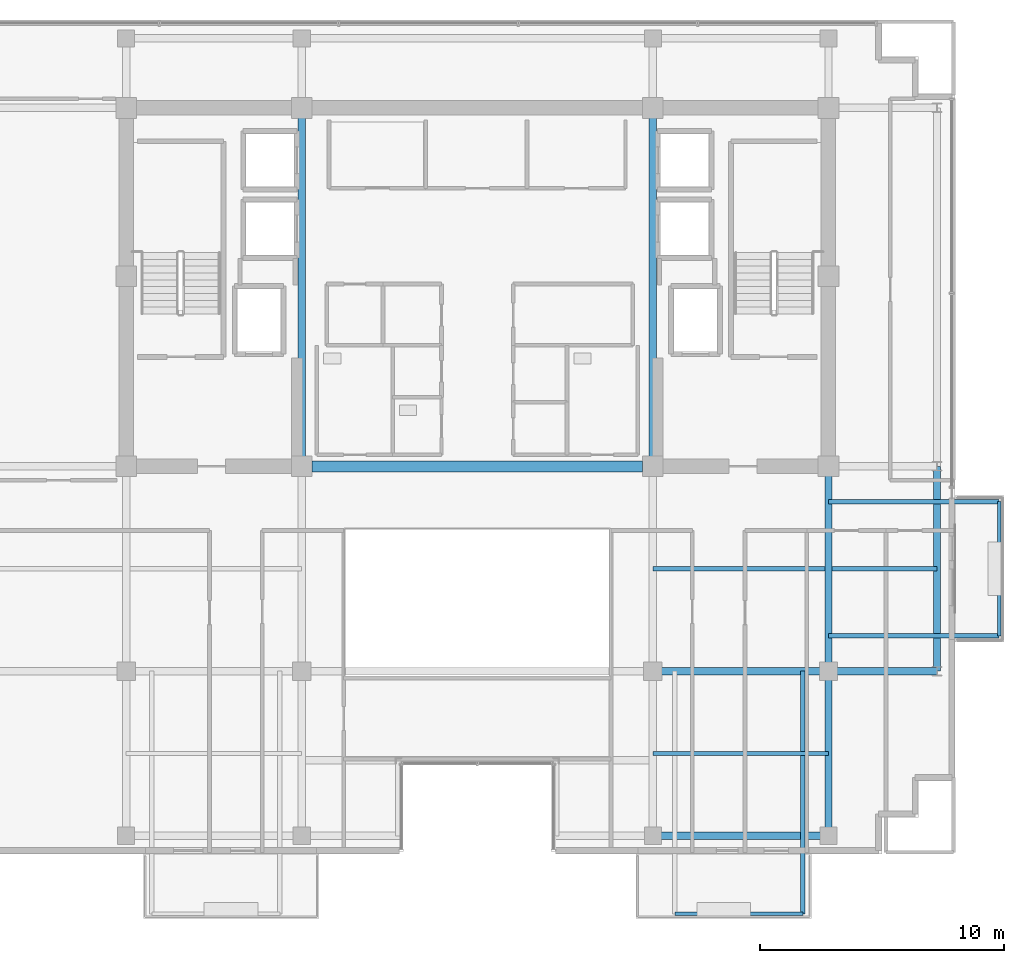
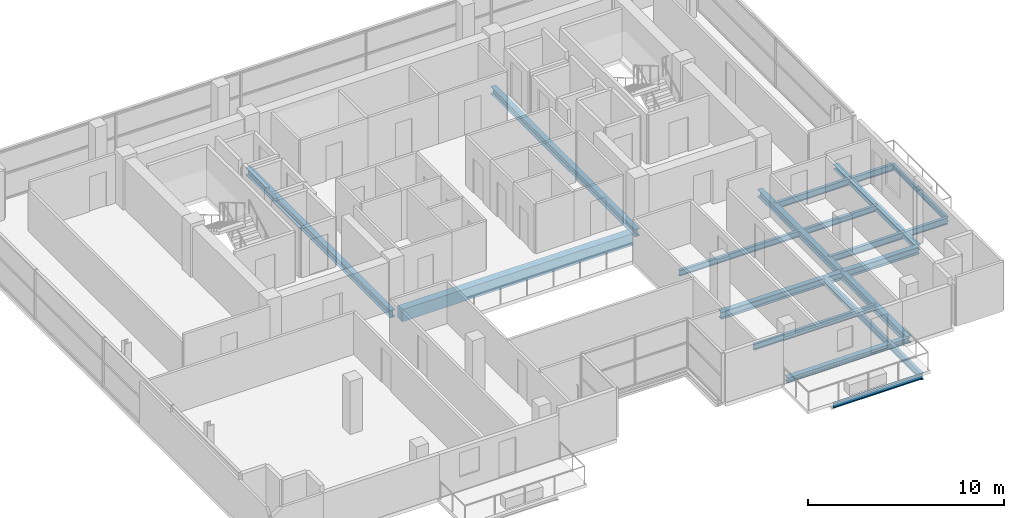
# One storey, part 10 of 22: 17 beams.
"""IFC4 building model written with IfcOpenShell, lengths in metres."""

from ifc_helpers import new_model, si_unit, direction, frame, origin, origin_2d, place, context, subcontext, project, spatial, rectangle, i_section, extrude, material, material_profile, profile_set, type_object, element, save


model = new_model("IFC4")

# Units and contexts
model_context = context("Model", 3, precision=1e-05, world=origin(), true_north=direction((0.0, 1.0)))
body_context = subcontext(model_context, "Body", "Model", "MODEL_VIEW")
ifc_project = project(units=[si_unit("LENGTHUNIT", "METRE"), si_unit("AREAUNIT", "SQUARE_METRE"), si_unit("VOLUMEUNIT", "CUBIC_METRE"), si_unit("PLANEANGLEUNIT", "RADIAN"), si_unit("MASSUNIT", "GRAM", prefix="KILO")], contexts=[model_context])

# Site, building, storey
site_placement = place(None, origin())
site = spatial("IfcSite", under=ifc_project, at=site_placement, CompositionType="ELEMENT")
building_placement = place(site_placement, origin())
building = spatial("IfcBuilding", under=site, at=building_placement, Name="Zarnakvel Exchange Tower", CompositionType="ELEMENT")
storey_placement = place(building_placement, frame((0.0, 0.0, 225.39990234375)))
storey = spatial("IfcBuildingStorey", under=building, at=storey_placement, Name="L63", CompositionType="ELEMENT", Elevation=225.39990234375)

# Beams
ifc_material_1 = material(Name="Steel S355", Category="steel")
ifc_material_profile_1 = material_profile(ifc_material_1, i_section(OverallWidth=0.179931640625, OverallDepth=0.39990234375, WebThickness=0.008544921875, FlangeThickness=0.013427734375, FilletRadius=0.02099609375, at=origin_2d()))
ifc_profile_set_1 = profile_set([ifc_material_profile_1], Name="Steel S355")
beam_type_1 = type_object("IfcBeamType", Name="B-06", PredefinedType="JOIST", material=ifc_profile_set_1)
beam_1_placement = place(storey_placement, frame((13.35009765625, -9.60009765625, -0.4248046875), z_axis=(0.0, -1.0, 0.0), x_axis=(1.0, 0.0, 0.0)))
element("IfcBeam", 1, at=beam_1_placement, inside=storey, type_object=beam_type_1, Name="L63 Continuous Back-Spanned Balcony Beam E", PredefinedType="JOIST", context=body_context, shape_type="SweptSolid", body=[
    extrude(i_section(OverallWidth=0.179931640625, OverallDepth=0.39990234375, WebThickness=0.008544921875, FlangeThickness=0.013427734375, FilletRadius=0.02099609375, at=origin_2d()), origin(), (0.0, 0.0, 1.0), 9.949951171875),
])
for number, where, z_axis, x_axis, name in (
    (2, (14.39990234375, -8.14990234375, -0.4248046875), (1.0, 0.0, 0.0), (0.0, 1.0, 0.0), "L63 Continuous East Loggia Beam S"),
    (3, (14.39990234375, -2.64990234375, -0.4248046875), (1.0, 0.0, 0.0), (0.0, 1.0, 0.0), "L63 Continuous East Loggia Beam N"),
):
    element("IfcBeam", number, at=place(storey_placement, frame(where, z_axis=z_axis, x_axis=x_axis)), inside=storey, type_object=beam_type_1, Name=name, PredefinedType="JOIST", context=body_context, shape_type="SweptSolid", body=[
        extrude(i_section(OverallWidth=0.179931640625, OverallDepth=0.39990234375, WebThickness=0.008544921875, FlangeThickness=0.013427734375, FilletRadius=0.02099609375, at=origin_2d()), origin(), (0.0, 0.0, 1.0), 7.0),
    ])
ifc_material_profile_2 = material_profile(ifc_material_1, i_section(OverallWidth=0.169921875, OverallDepth=0.360107421875, WebThickness=0.008056640625, FlangeThickness=0.0126953125, FilletRadius=0.01806640625, at=origin_2d()))
ifc_profile_set_2 = profile_set([ifc_material_profile_2], Name="Steel S355")
beam_type_2 = type_object("IfcBeamType", Name="B-07", PredefinedType="JOIST", material=ifc_profile_set_2)
beam_2_placement = place(storey_placement, frame((7.199951171875, -12.97509765625, -0.40478515625), z_axis=(1.0, 0.0, 0.0), x_axis=(0.0, 1.0, 0.0)))
element("IfcBeam", 4, at=beam_2_placement, inside=storey, type_object=beam_type_2, Name="L63 Composite Floor Secondary Joist", PredefinedType="JOIST", context=body_context, shape_type="SweptSolid", body=[
    extrude(i_section(OverallWidth=0.169921875, OverallDepth=0.360107421875, WebThickness=0.008056640625, FlangeThickness=0.0126953125, FilletRadius=0.01806640625, at=origin_2d()), origin(), (0.0, 0.0, 1.0), 7.199951171875),
])
beam_3_placement = place(storey_placement, frame((7.199951171875, -5.39990234375, -0.40478515625), z_axis=(1.0, 0.0, 0.0), x_axis=(0.0, 1.0, 0.0)))
element("IfcBeam", 5, at=beam_3_placement, inside=storey, type_object=beam_type_2, Name="L63 Composite Floor Secondary Joist", PredefinedType="JOIST", context=body_context, shape_type="SweptSolid", body=[
    extrude(i_section(OverallWidth=0.169921875, OverallDepth=0.360107421875, WebThickness=0.008056640625, FlangeThickness=0.0126953125, FilletRadius=0.01806640625, at=origin_2d()), origin(), (0.0, 0.0, 1.0), 7.050048828125),
])
beam_4_placement = place(storey_placement, frame((14.550048828125, -5.39990234375, -0.40478515625), z_axis=(1.0, 0.0, 0.0), x_axis=(0.0, 1.0, 0.0)))
element("IfcBeam", 6, at=beam_4_placement, inside=storey, type_object=beam_type_2, Name="L63 Composite Floor Secondary Joist", PredefinedType="JOIST", context=body_context, shape_type="SweptSolid", body=[
    extrude(i_section(OverallWidth=0.169921875, OverallDepth=0.360107421875, WebThickness=0.008056640625, FlangeThickness=0.0126953125, FilletRadius=0.01806640625, at=origin_2d()), origin(), (0.0, 0.0, 1.0), 4.300048828125),
])
ifc_material_profile_3 = material_profile(ifc_material_1, i_section(OverallWidth=0.14990234375, OverallDepth=0.300048828125, WebThickness=0.007080078125, FlangeThickness=0.0107421875, FilletRadius=0.014892578125, at=origin_2d()))
ifc_profile_set_3 = profile_set([ifc_material_profile_3], Name="Steel S355")
beam_type_3 = type_object("IfcBeamType", Name="B-08", PredefinedType="JOIST", material=ifc_profile_set_3)
beam_5_placement = place(storey_placement, frame((8.10009765625, -19.550048828125, -0.375), z_axis=(1.0, 0.0, 0.0), x_axis=(0.0, 1.0, 0.0)))
element("IfcBeam", 7, at=beam_5_placement, inside=storey, type_object=beam_type_3, Name="L63 Balcony Edge Beam", PredefinedType="JOIST", context=body_context, shape_type="SweptSolid", body=[
    extrude(i_section(OverallWidth=0.14990234375, OverallDepth=0.300048828125, WebThickness=0.007080078125, FlangeThickness=0.0107421875, FilletRadius=0.014892578125, at=origin_2d()), origin(), (0.0, 0.0, 1.0), 5.25),
])
beam_6_placement = place(storey_placement, frame((21.39990234375, -8.14990234375, -0.375), z_axis=(0.0, 1.0, 0.0), x_axis=(-1.0, 0.0, 0.0)))
element("IfcBeam", 8, at=beam_6_placement, inside=storey, type_object=beam_type_3, Name="L63 East Loggia Edge Beam", PredefinedType="JOIST", context=body_context, shape_type="SweptSolid", body=[
    extrude(i_section(OverallWidth=0.14990234375, OverallDepth=0.300048828125, WebThickness=0.007080078125, FlangeThickness=0.0107421875, FilletRadius=0.014892578125, at=origin_2d()), origin(), (0.0, 0.0, 1.0), 5.5),
])
ifc_material_2 = material(Name="Concrete C50/60", Category="concrete")
ifc_material_profile_4 = material_profile(ifc_material_2, rectangle(XDim=0.449951171875, YDim=0.75, at=origin_2d()))
ifc_profile_set_4 = profile_set([ifc_material_profile_4], Name="Concrete C50/60")
beam_type_4 = type_object("IfcBeamType", Name="CB-03", PredefinedType="LINTEL", material=ifc_profile_set_4)
beam_7_placement = place(storey_placement, frame((-6.77490234375, -1.199951171875, -0.599853515625), z_axis=(1.0, 0.0, 0.0), x_axis=(0.0, 1.0, 0.0)))
element("IfcBeam", 9, at=beam_7_placement, inside=storey, type_object=beam_type_4, Name="L63 Rear Core South Coupling Beam (CB-03)", PredefinedType="LINTEL", context=body_context, shape_type="SweptSolid", body=[
    extrude(rectangle(XDim=0.449951171875, YDim=0.75, at=origin_2d()), origin(), (0.0, 0.0, 1.0), 13.5498046875),
])
ifc_material_profile_5 = material_profile(ifc_material_1, i_section(OverallWidth=0.300048828125, OverallDepth=0.449951171875, WebThickness=0.013916015625, FlangeThickness=0.02587890625, FilletRadius=0.027099609375, at=origin_2d()))
ifc_profile_set_5 = profile_set([ifc_material_profile_5], Name="Steel S355")
beam_type_5 = type_object("IfcBeamType", Name="G-07", PredefinedType="BEAM", material=ifc_profile_set_5)
beam_8_placement = place(storey_placement, frame((7.199951171875, -9.60009765625, -0.449951171875), z_axis=(1.0, 0.0, 0.0), x_axis=(0.0, 1.0, 0.0)))
element("IfcBeam", 10, at=beam_8_placement, inside=storey, type_object=beam_type_5, Name="L63 Tower E-W Frame Beam", PredefinedType="BEAM", context=body_context, shape_type="SweptSolid", body=[
    extrude(i_section(OverallWidth=0.300048828125, OverallDepth=0.449951171875, WebThickness=0.013916015625, FlangeThickness=0.02587890625, FilletRadius=0.027099609375, at=origin_2d()), origin(), (0.0, 0.0, 1.0), 7.199951171875),
])
beam_9_placement = place(storey_placement, frame((14.39990234375, -9.60009765625, -0.449951171875), z_axis=(1.0, 0.0, 0.0), x_axis=(0.0, 1.0, 0.0)))
element("IfcBeam", 11, at=beam_9_placement, inside=storey, type_object=beam_type_5, Name="L63 Tower E-W Frame Beam", PredefinedType="BEAM", context=body_context, shape_type="SweptSolid", body=[
    extrude(i_section(OverallWidth=0.300048828125, OverallDepth=0.449951171875, WebThickness=0.013916015625, FlangeThickness=0.02587890625, FilletRadius=0.027099609375, at=origin_2d()), origin(), (0.0, 0.0, 1.0), 4.4501953125),
])
for number, where, z_axis, x_axis, name in (
    (12, (-7.199951171875, -1.199951171875, -0.449951171875), (0.0, 1.0, 0.0), (-1.0, 0.0, 0.0), "L63 Tower N-S Frame Beam"),
    (13, (7.199951171875, -1.199951171875, -0.449951171875), (0.0, 1.0, 0.0), (-1.0, 0.0, 0.0), "L63 Tower N-S Frame Beam"),
):
    element("IfcBeam", number, at=place(storey_placement, frame(where, z_axis=z_axis, x_axis=x_axis)), inside=storey, type_object=beam_type_5, Name=name, PredefinedType="BEAM", context=body_context, shape_type="SweptSolid", body=[
        extrude(i_section(OverallWidth=0.300048828125, OverallDepth=0.449951171875, WebThickness=0.013916015625, FlangeThickness=0.02587890625, FilletRadius=0.027099609375, at=origin_2d()), origin(), (0.0, 0.0, 1.0), 14.699951171875),
    ])
beam_10_placement = place(storey_placement, frame((14.39990234375, -16.35009765625, -0.449951171875), z_axis=(0.0, 1.0, 0.0), x_axis=(-1.0, 0.0, 0.0)))
element("IfcBeam", 14, at=beam_10_placement, inside=storey, type_object=beam_type_5, Name="L63 Tower N-S Frame Beam", PredefinedType="BEAM", context=body_context, shape_type="SweptSolid", body=[
    extrude(i_section(OverallWidth=0.300048828125, OverallDepth=0.449951171875, WebThickness=0.013916015625, FlangeThickness=0.02587890625, FilletRadius=0.027099609375, at=origin_2d()), origin(), (0.0, 0.0, 1.0), 6.75),
])
beam_11_placement = place(storey_placement, frame((14.39990234375, -9.60009765625, -0.449951171875), z_axis=(0.0, 1.0, 0.0), x_axis=(-1.0, 0.0, 0.0)))
element("IfcBeam", 15, at=beam_11_placement, inside=storey, type_object=beam_type_5, Name="L63 Tower N-S Frame Beam", PredefinedType="BEAM", context=body_context, shape_type="SweptSolid", body=[
    extrude(i_section(OverallWidth=0.300048828125, OverallDepth=0.449951171875, WebThickness=0.013916015625, FlangeThickness=0.02587890625, FilletRadius=0.027099609375, at=origin_2d()), origin(), (0.0, 0.0, 1.0), 8.400146484375),
])
ifc_material_profile_6 = material_profile(ifc_material_1, i_section(OverallWidth=0.300048828125, OverallDepth=0.300048828125, WebThickness=0.010986328125, FlangeThickness=0.01904296875, FilletRadius=0.027099609375, at=origin_2d()))
ifc_profile_set_6 = profile_set([ifc_material_profile_6], Name="Steel S355")
beam_type_6 = type_object("IfcBeamType", Name="SP-03", PredefinedType="SPANDREL", material=ifc_profile_set_6)
beam_12_placement = place(storey_placement, frame((7.199951171875, -16.35009765625, -0.375), z_axis=(1.0, 0.0, 0.0), x_axis=(0.0, 1.0, 0.0)))
element("IfcBeam", 16, at=beam_12_placement, inside=storey, type_object=beam_type_6, Name="L63 Tower E-W Frame Beam", PredefinedType="SPANDREL", context=body_context, shape_type="SweptSolid", body=[
    extrude(i_section(OverallWidth=0.300048828125, OverallDepth=0.300048828125, WebThickness=0.010986328125, FlangeThickness=0.01904296875, FilletRadius=0.027099609375, at=origin_2d()), origin(), (0.0, 0.0, 1.0), 7.199951171875),
])
beam_13_placement = place(storey_placement, frame((18.85009765625, -9.60009765625, -0.375), z_axis=(0.0, 1.0, 0.0), x_axis=(-1.0, 0.0, 0.0)))
element("IfcBeam", 17, at=beam_13_placement, inside=storey, type_object=beam_type_6, Name="L63 Tower N-S Frame Beam", PredefinedType="SPANDREL", context=body_context, shape_type="SweptSolid", body=[
    extrude(i_section(OverallWidth=0.300048828125, OverallDepth=0.300048828125, WebThickness=0.010986328125, FlangeThickness=0.01904296875, FilletRadius=0.027099609375, at=origin_2d()), origin(), (0.0, 0.0, 1.0), 8.400146484375),
])

save(model, "model.ifc")
